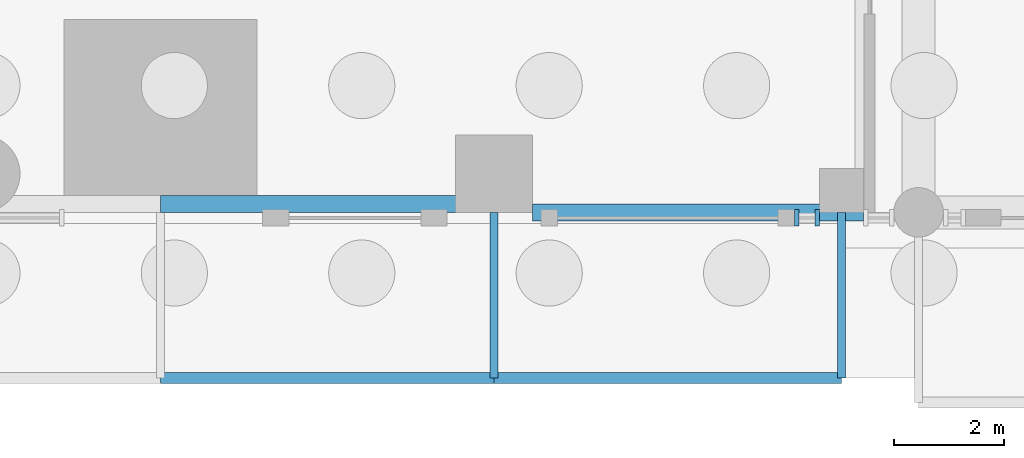
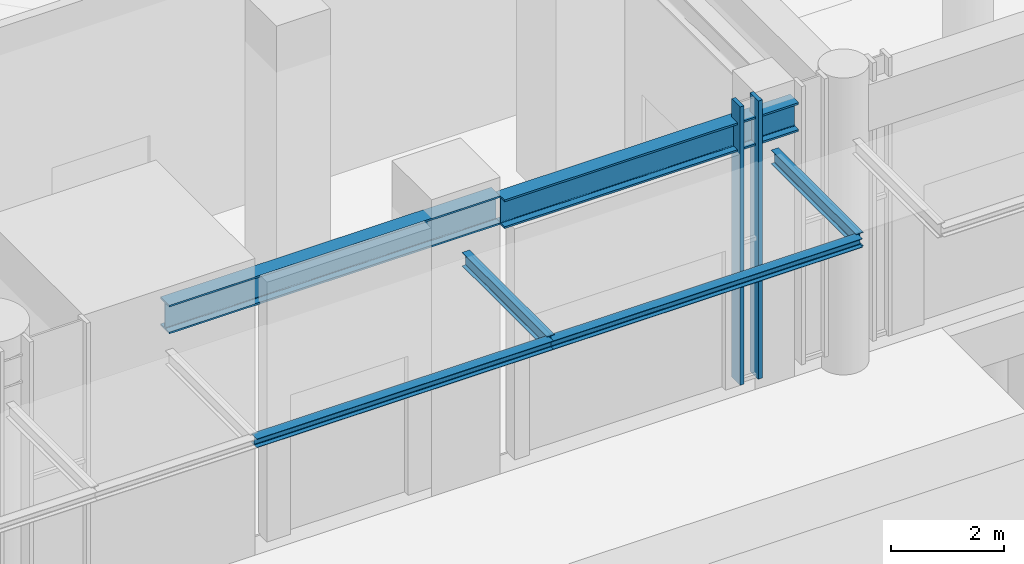
# One storey, part 6 of 46: 6 beams, 2 members, 1 element without a shape of its own.
"""IFC4 building model written with IfcOpenShell, lengths in metres."""

from ifc_helpers import new_model, si_unit, direction, frame, origin, origin_2d, place, context, subcontext, project, spatial, rectangle, i_section, extrude, material, material_profile, profile_set, type_object, element, aggregate, save


model = new_model("IFC4")

# Units and contexts
model_context = context("Model", 3, precision=1e-05, world=origin(), true_north=direction((0.0, 1.0)))
body_context = subcontext(model_context, "Body", "Model", "MODEL_VIEW")
ifc_project = project(units=[si_unit("LENGTHUNIT", "METRE"), si_unit("AREAUNIT", "SQUARE_METRE"), si_unit("VOLUMEUNIT", "CUBIC_METRE"), si_unit("PLANEANGLEUNIT", "RADIAN"), si_unit("MASSUNIT", "GRAM", prefix="KILO")], contexts=[model_context])

# Site, building, storey
site_placement = place(None, origin())
site = spatial("IfcSite", under=ifc_project, at=site_placement, CompositionType="ELEMENT")
building_placement = place(site_placement, origin())
building = spatial("IfcBuilding", under=site, at=building_placement, Name="Svetlomir Tower", CompositionType="ELEMENT")
storey_placement = place(building_placement, origin())
storey = spatial("IfcBuildingStorey", under=building, at=storey_placement, Name="L00", CompositionType="ELEMENT", Elevation=0.0)

# Beams
ifc_material_1 = material(Name="Steel S355", Category="steel")
ifc_material_profile_1 = material_profile(ifc_material_1, i_section(OverallWidth=0.14990234375, OverallDepth=0.300048828125, WebThickness=0.007080078125, FlangeThickness=0.0107421875, FilletRadius=0.014892578125, at=origin_2d()), Name="IPE 300")
ifc_profile_set_1 = profile_set([ifc_material_profile_1], Name="Steel S355")
beam_type_1 = type_object("IfcBeamType", Name="CANOPY CANTILEVER IPE 300", PredefinedType="BEAM", material=ifc_profile_set_1)
for number, where, z_axis, x_axis, name in (
    (1, (35.300048828125, 0.0, 4.5), (0.0, -1.0, 0.0), (1.0, 0.0, 0.0), "Canopy cantilever 36"),
    (2, (41.60009765625, 0.0, 4.5), (0.0, -1.0, 0.0), (1.0, 0.0, 0.0), "Canopy cantilever 42"),
):
    element("IfcBeam", number, at=place(storey_placement, frame(where, z_axis=z_axis, x_axis=x_axis)), inside=storey, type_object=beam_type_1, Name=name, PredefinedType="BEAM", context=body_context, shape_type="SweptSolid", body=[
        extrude(i_section(OverallWidth=0.14990234375, OverallDepth=0.300048828125, WebThickness=0.007080078125, FlangeThickness=0.0107421875, FilletRadius=0.014892578125, at=origin_2d()), origin(), (0.0, 0.0, 1.0), 3.0),
    ])
ifc_material_2 = material(Name="Steel S355", Category="steel")
ifc_material_profile_2 = material_profile(ifc_material_2, i_section(OverallWidth=0.199951171875, OverallDepth=0.18994140625, WebThickness=0.006591796875, FlangeThickness=0.010009765625, FilletRadius=0.01806640625, at=origin_2d()), Name="HEA 200")
ifc_profile_set_2 = profile_set([ifc_material_profile_2], Name="Steel S355")
beam_type_2 = type_object("IfcBeamType", Name="CANOPY EDGE BEAM HEA 200", PredefinedType="BEAM", material=ifc_profile_set_2)
beam_1_placement = place(storey_placement, frame((29.25, -3.0, 4.5), z_axis=(1.0, 0.0, 0.0), x_axis=(0.0, 1.0, 0.0)))
element("IfcBeam", 3, at=beam_1_placement, inside=storey, type_object=beam_type_2, Name="Canopy edge beam 29.25 to 35.3", PredefinedType="BEAM", context=body_context, shape_type="SweptSolid", body=[
    extrude(i_section(OverallWidth=0.199951171875, OverallDepth=0.18994140625, WebThickness=0.006591796875, FlangeThickness=0.010009765625, FilletRadius=0.01806640625, at=origin_2d()), origin(), (0.0, 0.0, 1.0), 6.050048828125),
])
beam_2_placement = place(storey_placement, frame((35.300048828125, -3.0, 4.5), z_axis=(1.0, 0.0, 0.0), x_axis=(0.0, 1.0, 0.0)))
element("IfcBeam", 4, at=beam_2_placement, inside=storey, type_object=beam_type_2, Name="Canopy edge beam 35.3 to 41.6", PredefinedType="BEAM", context=body_context, shape_type="SweptSolid", body=[
    extrude(i_section(OverallWidth=0.199951171875, OverallDepth=0.18994140625, WebThickness=0.006591796875, FlangeThickness=0.010009765625, FilletRadius=0.01806640625, at=origin_2d()), origin(), (0.0, 0.0, 1.0), 6.300048828125),
])

# Curtain wall, members
ifc_material_3 = material(Name="Bronze anodised aluminium curtain wall", Category="aluminium")
curtain_wall_type = type_object("IfcCurtainWallType", Name="CURTAIN WALL CW5 PODIUM", PredefinedType="NOTDEFINED", material=ifc_material_3)
curtain_wall_placement = place(storey_placement, origin())
curtain_wall = element("IfcCurtainWall", 5, at=curtain_wall_placement, inside=storey, type_object=curtain_wall_type, Name="Curtain wall CW5 L00", PredefinedType="NOTDEFINED")
ifc_material_4 = material(Name="Bronze anodised aluminium", Category="aluminium")
ifc_material_profile_3 = material_profile(ifc_material_4, rectangle(XDim=0.080078125, YDim=0.300048828125, at=origin_2d()), Name="AL 80x300")
ifc_profile_set_3 = profile_set([ifc_material_profile_3], Name="Bronze anodised aluminium 6063-T6")
member_type = type_object("IfcMemberType", Name="CW5 MULLION 80x300", PredefinedType="MULLION", material=ifc_profile_set_3)
member_1_placement = place(storey_placement, frame((40.7900390625, -0.10009765625, 0.0), z_axis=(0.0, 0.0, 1.0), x_axis=(1.0, 0.0, 0.0)))
member_1 = element("IfcMember", 6, at=member_1_placement, type_object=member_type, Name="CW5 mullion 1", PredefinedType="MULLION", context=body_context, shape_type="SweptSolid", body=[
    extrude(rectangle(XDim=0.080078125, YDim=0.300048828125, at=origin_2d()), origin(), (0.0, 0.0, 1.0), 6.0),
])
member_2_placement = place(storey_placement, frame((41.159912109375, -0.10009765625, 0.0), z_axis=(0.0, 0.0, 1.0), x_axis=(1.0, 0.0, 0.0)))
member_2 = element("IfcMember", 7, at=member_2_placement, type_object=member_type, Name="CW5 mullion 2", PredefinedType="MULLION", context=body_context, shape_type="SweptSolid", body=[
    extrude(rectangle(XDim=0.080078125, YDim=0.300048828125, at=origin_2d()), origin(), (0.0, 0.0, 1.0), 6.0),
])
aggregate(curtain_wall, [member_1, member_2])

# Beams
ifc_material_5 = material(Name="Steel S355", Category="steel")
ifc_material_profile_4 = material_profile(ifc_material_5, i_section(OverallWidth=0.304931640625, OverallDepth=0.6201171875, WebThickness=0.02099609375, FlangeThickness=0.0400390625, FilletRadius=0.027099609375, at=origin_2d()), Name="HEM 600")
ifc_profile_set_4 = profile_set([ifc_material_profile_4], Name="Steel S355")
beam_type_3 = type_object("IfcBeamType", Name="PODIUM EDGE BEAM HEM 600", PredefinedType="BEAM", material=ifc_profile_set_4)
beam_3_placement = place(storey_placement, frame((29.25, 0.152587890625, 5.2900390625), z_axis=(1.0, 0.0, 0.0), x_axis=(0.0, 1.0, 0.0)))
element("IfcBeam", 8, at=beam_3_placement, inside=storey, type_object=beam_type_3, Name="Podium beam 31/0 to 36/0 under L01", PredefinedType="BEAM", context=body_context, shape_type="SweptSolid", body=[
    extrude(i_section(OverallWidth=0.304931640625, OverallDepth=0.6201171875, WebThickness=0.02099609375, FlangeThickness=0.0400390625, FilletRadius=0.027099609375, at=origin_2d()), origin(), (0.0, 0.0, 1.0), 6.75),
])
beam_4_placement = place(storey_placement, frame((36.0, 0.0, 5.2900390625), z_axis=(1.0, 0.0, 0.0), x_axis=(0.0, 1.0, 0.0)))
element("IfcBeam", 9, at=beam_4_placement, inside=storey, type_object=beam_type_3, Name="Podium beam 36/0 to 42/0 under L01", PredefinedType="BEAM", context=body_context, shape_type="SweptSolid", body=[
    extrude(i_section(OverallWidth=0.304931640625, OverallDepth=0.6201171875, WebThickness=0.02099609375, FlangeThickness=0.0400390625, FilletRadius=0.027099609375, at=origin_2d()), origin(), (0.0, 0.0, 1.0), 6.0),
])

save(model, "model.ifc")
